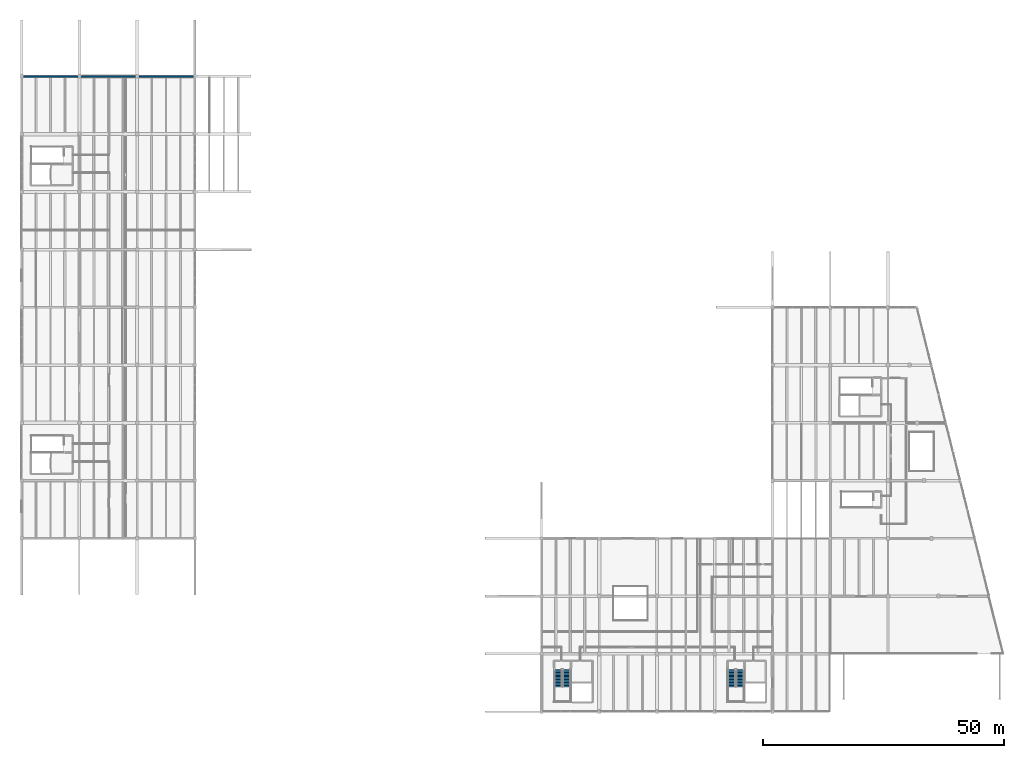
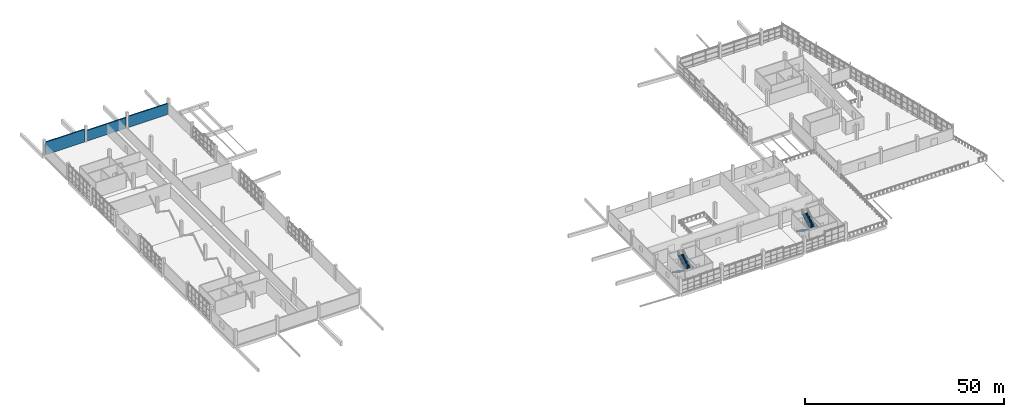
# One storey, part 43 of 49: 4 stair flights, 3 walls, 2 elements without a shape of their own.
"""IFC4 building model written with IfcOpenShell, lengths in metres."""

from ifc_helpers import new_model, si_unit, direction, frame, frame_2d, origin, place, context, subcontext, project, spatial, polyline, rectangle, outline, extrude, material, layer, layer_set, type_object, element, aggregate, save


model = new_model("IFC4")

# Units and contexts
model_context = context("Model", 3, precision=1e-05, world=origin(), true_north=direction((0.0, 1.0)))
body_context = subcontext(model_context, "Body", "Model", "MODEL_VIEW")
ifc_project = project(units=[si_unit("LENGTHUNIT", "METRE"), si_unit("AREAUNIT", "SQUARE_METRE"), si_unit("VOLUMEUNIT", "CUBIC_METRE"), si_unit("PLANEANGLEUNIT", "RADIAN"), si_unit("MASSUNIT", "GRAM", prefix="KILO")], contexts=[model_context])

# Site, building, storey
site_placement = place(None, origin())
site = spatial("IfcSite", under=ifc_project, at=site_placement, CompositionType="ELEMENT")
building_placement = place(site_placement, origin())
building = spatial("IfcBuilding", under=site, at=building_placement, Name="Kamomehara Wholesale Market", CompositionType="ELEMENT")
storey_placement = place(building_placement, frame((0.0, 0.0, 11.39990234375)))
storey = spatial("IfcBuildingStorey", under=building, at=storey_placement, Name="L02", CompositionType="ELEMENT", Elevation=11.39990234375)

# Walls
ifc_material_1 = material(Name="Polyurethane insulated metal panel")
ifc_layer_1 = layer(ifc_material_1, 0.320068359375)
ifc_layer_set_1 = layer_set([ifc_layer_1], Name="Polyurethane insulated metal panel")
wall_type = type_object("IfcWallType", Name="EW-CLD-320", PredefinedType="SOLIDWALL", material=ifc_layer_set_1)
wall_1_placement = place(storey_placement, frame((0.340087890625, 144.0, 0.0), z_axis=(0.0, 0.0, 1.0), x_axis=(1.0, 0.0, 0.0)))
element("IfcWall", 1, at=wall_1_placement, inside=storey, type_object=wall_type, Name="Exterior wall EW-CLD-320 47", PredefinedType="SOLIDWALL", context=body_context, shape_type="SweptSolid", body=[
    extrude(rectangle(XDim=11.31982421875, YDim=0.320068359375, at=frame_2d((5.659912109375, 0.0))), origin(), (0.0, 0.0, 1.0), 3.880126953125),
])
wall_2_placement = place(storey_placement, frame((12.340087890625, 144.0, 0.0), z_axis=(0.0, 0.0, 1.0), x_axis=(1.0, 0.0, 0.0)))
element("IfcWall", 2, at=wall_2_placement, inside=storey, type_object=wall_type, Name="Exterior wall EW-CLD-320 49", PredefinedType="SOLIDWALL", context=body_context, shape_type="SweptSolid", body=[
    extrude(rectangle(XDim=11.31982421875, YDim=0.320068359375, at=frame_2d((5.659912109375, 0.0))), origin(), (0.0, 0.0, 1.0), 3.280029296875),
])
wall_3_placement = place(storey_placement, frame((24.340087890625, 144.0, 0.0), z_axis=(0.0, 0.0, 1.0), x_axis=(1.0, 0.0, 0.0)))
element("IfcWall", 3, at=wall_3_placement, inside=storey, type_object=wall_type, Name="Exterior wall EW-CLD-320 51", PredefinedType="SOLIDWALL", context=body_context, shape_type="SweptSolid", body=[
    extrude(rectangle(XDim=11.31982421875, YDim=0.320068359375, at=frame_2d((5.659912109375, 0.0))), origin(), (0.0, 0.0, 1.0), 3.380126953125),
])

# Stair, stair flights
ifc_material_2 = material(Name="Concrete Fc36 (C35/45)", Category="concrete")
stair_type = type_object("IfcStairType", Name="STR-DL-02", PredefinedType="HALF_TURN_STAIR", material=ifc_material_2)
stair_1_placement = place(storey_placement, origin())
stair_1 = element("IfcStair", 4, at=stair_1_placement, inside=storey, type_object=stair_type, Name="L02 Core exit stair ST-07", PredefinedType="HALF_TURN_STAIR")
ifc_material_3 = material(Name="Concrete Fc36 (C35/45)", Category="concrete")
ifc_layer_2 = layer(ifc_material_3, 0.199951171875)
ifc_layer_set_2 = layer_set([ifc_layer_2], Name="Concrete Fc36 (C35/45)")
stair_flight_type = type_object("IfcStairFlightType", Name="SFL-01", PredefinedType="STRAIGHT", material=ifc_layer_set_2)
stair_flight_1_placement = place(storey_placement, frame((111.5, 20.75, 0.0), z_axis=(0.0, 0.0, 1.0), x_axis=(0.0, -1.0, 0.0)))
stair_flight_1 = element("IfcStairFlight", 5, at=stair_flight_1_placement, type_object=stair_flight_type, Name="ST-07 flight 1", NumberOfRisers=13, NumberOfTreads=12, PredefinedType="STRAIGHT", RiserHeight=0.184615385, TreadLength=0.3, context=body_context, shape_type="SweptSolid", body=[
    extrude(outline(polyline([(0.0, 0.0), (0.0, 0.1845703125), (0.300048828125, 0.1845703125), (0.300048828125, 0.369140625), (0.60009765625, 0.369140625), (0.60009765625, 0.553955078125), (0.89990234375, 0.553955078125), (0.89990234375, 0.738525390625), (1.199951171875, 0.738525390625), (1.199951171875, 0.923095703125), (1.5, 0.923095703125), (1.5, 1.107666015625), (1.800048828125, 1.107666015625), (1.800048828125, 1.292236328125), (2.10009765625, 1.292236328125), (2.10009765625, 1.476806640625), (2.39990234375, 1.476806640625), (2.39990234375, 1.66162109375), (2.699951171875, 1.66162109375), (2.699951171875, 1.84619140625), (3.0, 1.84619140625), (3.0, 2.03076171875), (3.300048828125, 2.03076171875), (3.300048828125, 2.21533203125), (3.60009765625, 2.21533203125), (3.60009765625, 2.39990234375), (3.60009765625, 1.980712890625), (0.381591796875, 0.0), (0.0, 0.0)])), frame((0.0, 0.800048828125, 0.0), z_axis=(0.0, -1.0, 0.0), x_axis=(1.0, 0.0, 0.0)), (0.0, 0.0, 1.0), 1.60009765625),
])
stair_flight_2_placement = place(storey_placement, frame((113.300048828125, 17.14990234375, 2.400146484375), z_axis=(0.0, 0.0, 1.0), x_axis=(0.0, 1.0, 0.0)))
stair_flight_2 = element("IfcStairFlight", 6, at=stair_flight_2_placement, type_object=stair_flight_type, Name="ST-07 flight 2", NumberOfRisers=13, NumberOfTreads=12, PredefinedType="STRAIGHT", RiserHeight=0.184615385, TreadLength=0.3, context=body_context, shape_type="SweptSolid", body=[
    extrude(outline(polyline([(0.0, 0.0), (0.0, 0.1845703125), (0.300048828125, 0.1845703125), (0.300048828125, 0.369140625), (0.60009765625, 0.369140625), (0.60009765625, 0.553955078125), (0.89990234375, 0.553955078125), (0.89990234375, 0.738525390625), (1.199951171875, 0.738525390625), (1.199951171875, 0.923095703125), (1.5, 0.923095703125), (1.5, 1.107666015625), (1.800048828125, 1.107666015625), (1.800048828125, 1.292236328125), (2.10009765625, 1.292236328125), (2.10009765625, 1.476806640625), (2.39990234375, 1.476806640625), (2.39990234375, 1.66162109375), (2.699951171875, 1.66162109375), (2.699951171875, 1.84619140625), (3.0, 1.84619140625), (3.0, 2.03076171875), (3.300048828125, 2.03076171875), (3.300048828125, 2.21533203125), (3.60009765625, 2.21533203125), (3.60009765625, 2.39990234375), (3.60009765625, 1.980712890625), (0.381591796875, 0.0), (0.0, 0.0)])), frame((0.0, 0.800048828125, 0.0), z_axis=(0.0, -1.0, 0.0), x_axis=(1.0, 0.0, 0.0)), (0.0, 0.0, 1.0), 1.60009765625),
])
aggregate(stair_1, [stair_flight_1, stair_flight_2])

stair_2_placement = place(storey_placement, origin())
stair_2 = element("IfcStair", 7, at=stair_2_placement, inside=storey, type_object=stair_type, Name="L02 Core exit stair ST-08", PredefinedType="HALF_TURN_STAIR")
stair_flight_3_placement = place(storey_placement, frame((147.5, 20.75, 0.0), z_axis=(0.0, 0.0, 1.0), x_axis=(0.0, -1.0, 0.0)))
stair_flight_3 = element("IfcStairFlight", 8, at=stair_flight_3_placement, type_object=stair_flight_type, Name="ST-08 flight 1", NumberOfRisers=13, NumberOfTreads=12, PredefinedType="STRAIGHT", RiserHeight=0.184615385, TreadLength=0.3, context=body_context, shape_type="SweptSolid", body=[
    extrude(outline(polyline([(0.0, 0.0), (0.0, 0.1845703125), (0.300048828125, 0.1845703125), (0.300048828125, 0.369140625), (0.60009765625, 0.369140625), (0.60009765625, 0.553955078125), (0.89990234375, 0.553955078125), (0.89990234375, 0.738525390625), (1.199951171875, 0.738525390625), (1.199951171875, 0.923095703125), (1.5, 0.923095703125), (1.5, 1.107666015625), (1.800048828125, 1.107666015625), (1.800048828125, 1.292236328125), (2.10009765625, 1.292236328125), (2.10009765625, 1.476806640625), (2.39990234375, 1.476806640625), (2.39990234375, 1.66162109375), (2.699951171875, 1.66162109375), (2.699951171875, 1.84619140625), (3.0, 1.84619140625), (3.0, 2.03076171875), (3.300048828125, 2.03076171875), (3.300048828125, 2.21533203125), (3.60009765625, 2.21533203125), (3.60009765625, 2.39990234375), (3.60009765625, 1.980712890625), (0.381591796875, 0.0), (0.0, 0.0)])), frame((0.0, 0.800048828125, 0.0), z_axis=(0.0, -1.0, 0.0), x_axis=(1.0, 0.0, 0.0)), (0.0, 0.0, 1.0), 1.60009765625),
])
stair_flight_4_placement = place(storey_placement, frame((149.300048828125, 17.14990234375, 2.400146484375), z_axis=(0.0, 0.0, 1.0), x_axis=(0.0, 1.0, 0.0)))
stair_flight_4 = element("IfcStairFlight", 9, at=stair_flight_4_placement, type_object=stair_flight_type, Name="ST-08 flight 2", NumberOfRisers=13, NumberOfTreads=12, PredefinedType="STRAIGHT", RiserHeight=0.184615385, TreadLength=0.3, context=body_context, shape_type="SweptSolid", body=[
    extrude(outline(polyline([(0.0, 0.0), (0.0, 0.1845703125), (0.300048828125, 0.1845703125), (0.300048828125, 0.369140625), (0.60009765625, 0.369140625), (0.60009765625, 0.553955078125), (0.89990234375, 0.553955078125), (0.89990234375, 0.738525390625), (1.199951171875, 0.738525390625), (1.199951171875, 0.923095703125), (1.5, 0.923095703125), (1.5, 1.107666015625), (1.800048828125, 1.107666015625), (1.800048828125, 1.292236328125), (2.10009765625, 1.292236328125), (2.10009765625, 1.476806640625), (2.39990234375, 1.476806640625), (2.39990234375, 1.66162109375), (2.699951171875, 1.66162109375), (2.699951171875, 1.84619140625), (3.0, 1.84619140625), (3.0, 2.03076171875), (3.300048828125, 2.03076171875), (3.300048828125, 2.21533203125), (3.60009765625, 2.21533203125), (3.60009765625, 2.39990234375), (3.60009765625, 1.980712890625), (0.381591796875, 0.0), (0.0, 0.0)])), frame((0.0, 0.800048828125, 0.0), z_axis=(0.0, -1.0, 0.0), x_axis=(1.0, 0.0, 0.0)), (0.0, 0.0, 1.0), 1.60009765625),
])
aggregate(stair_2, [stair_flight_3, stair_flight_4])

save(model, "model.ifc")
